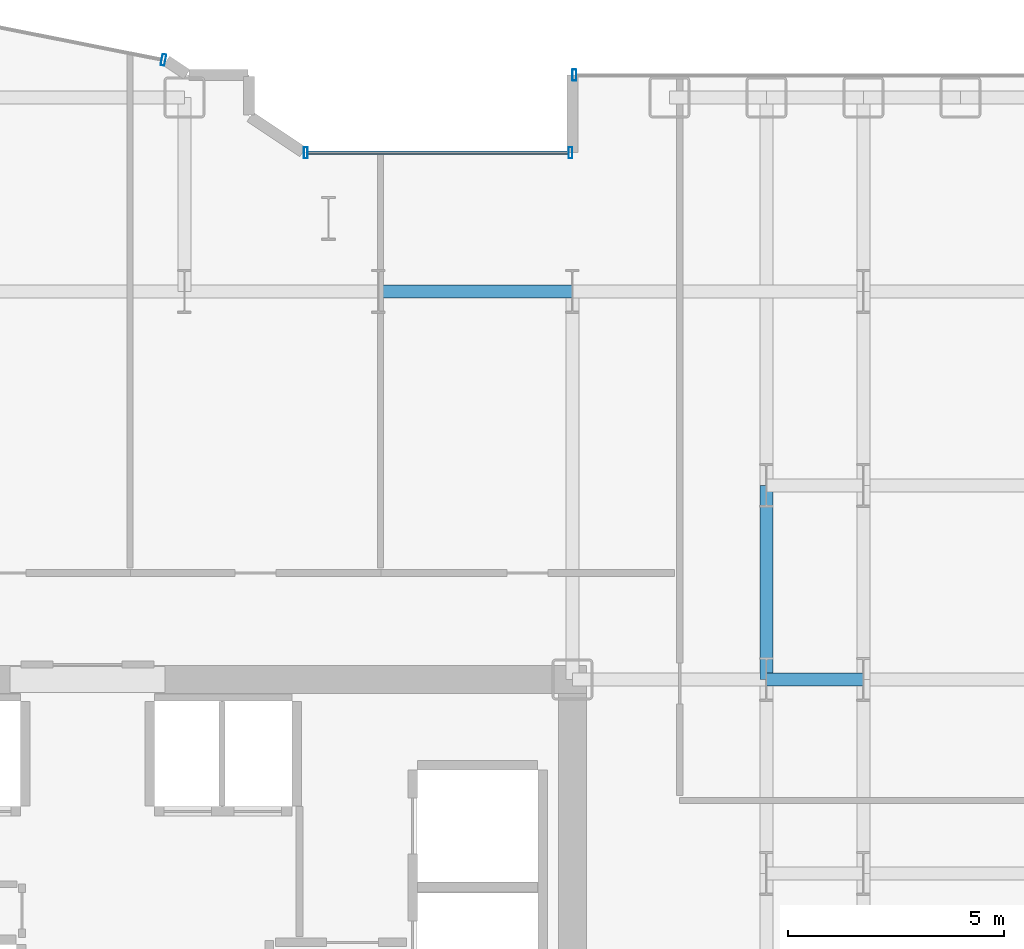
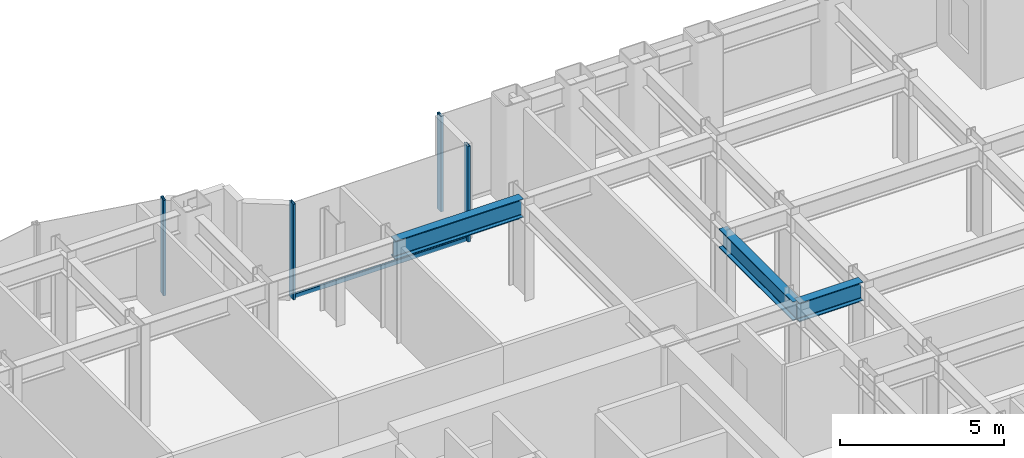
# One storey, part 12 of 25: 5 members, 3 beams, 3 elements without a shape of their own.
"""IFC4 building model written with IfcOpenShell, lengths in metres."""

from ifc_helpers import new_model, si_unit, direction, frame, origin, origin_2d, place, context, subcontext, project, spatial, hollow_rectangle, i_section, extrude, source, transform, mapped, material, layer, layer_set, material_profile, profile_set, type_object, element, aggregate, save


model = new_model("IFC4")

# Units and contexts
model_context = context("Model", 3, precision=1e-05, world=origin(), true_north=direction((0.0, 1.0)))
body_context = subcontext(model_context, "Body", "Model", "MODEL_VIEW")
ifc_project = project(units=[si_unit("LENGTHUNIT", "METRE"), si_unit("AREAUNIT", "SQUARE_METRE"), si_unit("VOLUMEUNIT", "CUBIC_METRE"), si_unit("PLANEANGLEUNIT", "RADIAN"), si_unit("MASSUNIT", "GRAM", prefix="KILO")], contexts=[model_context])

# Site, building, storey
site_placement = place(None, origin())
site = spatial("IfcSite", under=ifc_project, at=site_placement, CompositionType="ELEMENT")
building_placement = place(site_placement, origin())
building = spatial("IfcBuilding", under=site, at=building_placement, Name="Nefas-Gora Pilgrimage Tower", CompositionType="ELEMENT")
storey_placement = place(building_placement, frame((0.0, 0.0, 52.0)))
storey = spatial("IfcBuildingStorey", under=building, at=storey_placement, Name="L11", CompositionType="ELEMENT", Elevation=52.0)

# Beams
ifc_material_1 = material(Name="Steel S355", Category="steel")
ifc_material_profile_1 = material_profile(ifc_material_1, i_section(OverallWidth=0.300048828125, OverallDepth=0.699951171875, WebThickness=0.01708984375, FlangeThickness=0.031982421875, FilletRadius=0.027099609375, at=origin_2d()), Name="HEB 700")
ifc_profile_set_1 = profile_set([ifc_material_profile_1], Name="Steel S355")
beam_type = type_object("IfcBeamType", Name="BM-GIR-HEB700", PredefinedType="BEAM", material=ifc_profile_set_1)
shared_shape_1 = source(origin(), body_context, "Body", "SweptSolid", [
    extrude(i_section(OverallWidth=0.300048828125, OverallDepth=0.699951171875, WebThickness=0.01708984375, FlangeThickness=0.031982421875, FilletRadius=0.027099609375, at=origin_2d()), origin(), (0.0, 0.0, 1.0), 4.5),
])
for number, where, z_axis, x_axis, name in (
    (1, (6.75, 18.0, 3.199951171875), (1.0, 0.0, 0.0), (0.0, 1.0, 0.0), "L11 G-02 beam"),
    (2, (15.75, 9.0, 3.199951171875), (0.0, 1.0, 0.0), (-1.0, 0.0, 0.0), "L11 G-02 beam"),
):
    element("IfcBeam", number, at=place(storey_placement, frame(where, z_axis=z_axis, x_axis=x_axis)), inside=storey, type_object=beam_type, Name=name, PredefinedType="BEAM", context=body_context, shape_type="MappedRepresentation", body=[
        mapped(shared_shape_1, transform((0.0, 0.0, 0.0), x_axis=(1.0, 0.0, 0.0), y_axis=(0.0, 1.0, 0.0), z_axis=(0.0, 0.0, 1.0), scale=1.0)),
    ])
shared_shape_2 = source(origin(), body_context, "Body", "SweptSolid", [
    extrude(i_section(OverallWidth=0.300048828125, OverallDepth=0.699951171875, WebThickness=0.01708984375, FlangeThickness=0.031982421875, FilletRadius=0.027099609375, at=origin_2d()), origin(), (0.0, 0.0, 1.0), 2.25),
])
beam_placement = place(storey_placement, frame((15.75, 9.0, 3.199951171875), z_axis=(1.0, 0.0, 0.0), x_axis=(0.0, 1.0, 0.0)))
element("IfcBeam", 3, at=beam_placement, inside=storey, type_object=beam_type, Name="L11 G-02 beam", PredefinedType="BEAM", context=body_context, shape_type="MappedRepresentation", body=[
    mapped(shared_shape_2, transform((0.0, 0.0, 0.0), x_axis=(1.0, 0.0, 0.0), y_axis=(0.0, 1.0, 0.0), z_axis=(0.0, 0.0, 1.0), scale=1.0)),
])

# Curtain wall, members
ifc_material_2 = material(Name="Dark ceramic-fritted solar-control aluminium-glass curtain wall", Category="aluminium")
ifc_layer_1 = layer(ifc_material_2, 0.219970703125)
ifc_layer_set_1 = layer_set([ifc_layer_1], Name="Dark ceramic-fritted solar-control aluminium-glass curtain wall")
curtain_wall_type_1 = type_object("IfcCurtainWallType", Name="CW-SYS-5", PredefinedType="NOTDEFINED", material=ifc_layer_set_1)
curtain_wall_1_placement = place(storey_placement, origin())
curtain_wall_1 = element("IfcCurtainWall", 4, at=curtain_wall_1_placement, inside=storey, type_object=curtain_wall_type_1, Name="L11 Unitised Curtain Wall CW5", PredefinedType="NOTDEFINED")
ifc_material_3 = material(Name="Anodised architectural aluminium", Category="aluminium")
ifc_material_profile_2 = material_profile(ifc_material_3, hollow_rectangle(XDim=0.090087890625, YDim=0.260009765625, WallThickness=0.006103515625, InnerFilletRadius=0.006103515625, OuterFilletRadius=0.011962890625, at=origin_2d()), Name="ALU MULLION 90x260")
ifc_profile_set_2 = profile_set([ifc_material_profile_2], Name="Anodised architectural aluminium")
member_type_1 = type_object("IfcMemberType", Name="CWM-MUL-5", PredefinedType="MULLION", material=ifc_profile_set_2)
shared_shape_3 = source(origin(), body_context, "Body", "SweptSolid", [
    extrude(hollow_rectangle(XDim=0.090087890625, YDim=0.260009765625, WallThickness=0.006103515625, InnerFilletRadius=0.006103515625, OuterFilletRadius=0.011962890625, at=origin_2d()), origin(), (0.0, 0.0, 1.0), 3.550048828125),
])
member_1_placement = place(storey_placement, frame((11.205078125, 21.219970703125, 0.0), z_axis=(0.0, 0.0, 1.0), x_axis=(-1.0, 0.0, 0.0)))
member_1 = element("IfcMember", 5, at=member_1_placement, type_object=member_type_1, Name="CW5 Mullion 1", PredefinedType="MULLION", context=body_context, shape_type="MappedRepresentation", body=[
    mapped(shared_shape_3, transform((0.0, 0.0, 0.0), x_axis=(1.0, 0.0, 0.0), y_axis=(0.0, 1.0, 0.0), z_axis=(0.0, 0.0, 1.0), scale=1.0)),
])
member_2_placement = place(storey_placement, frame((5.06298828125, 21.219970703125, 0.0), z_axis=(0.0, 0.0, 1.0), x_axis=(-1.0, 0.0, 0.0)))
member_2 = element("IfcMember", 6, at=member_2_placement, type_object=member_type_1, Name="CW5 Mullion 2", PredefinedType="MULLION", context=body_context, shape_type="MappedRepresentation", body=[
    mapped(shared_shape_3, transform((0.0, 0.0, 0.0), x_axis=(1.0, 0.0, 0.0), y_axis=(0.0, 1.0, 0.0), z_axis=(0.0, 0.0, 1.0), scale=1.0)),
])

# Curtain wall, member
curtain_wall_2_placement = place(storey_placement, origin())
curtain_wall_2 = element("IfcCurtainWall", 7, at=curtain_wall_2_placement, inside=storey, type_object=curtain_wall_type_1, Name="L11 Unitised Curtain Wall CW5", PredefinedType="NOTDEFINED")
member_3_placement = place(storey_placement, frame((1.76318359375, 23.3740234375, 0.0), z_axis=(0.0, 0.0, 1.0), x_axis=(-0.980782896852, 0.195102304554, 0.0)))
member_3 = element("IfcMember", 8, at=member_3_placement, type_object=member_type_1, Name="CW5 Mullion 1", PredefinedType="MULLION", context=body_context, shape_type="MappedRepresentation", body=[
    mapped(shared_shape_3, transform((0.0, 0.0, 0.0), x_axis=(1.0, 0.0, 0.0), y_axis=(0.0, 1.0, 0.0), z_axis=(0.0, 0.0, 1.0), scale=1.0)),
])
aggregate(curtain_wall_2, [member_3])

# Member
ifc_material_profile_3 = material_profile(ifc_material_3, hollow_rectangle(XDim=0.080078125, YDim=0.159912109375, WallThickness=0.00439453125, InnerFilletRadius=0.00439453125, OuterFilletRadius=0.009033203125, at=origin_2d()), Name="ALU TRANSOM 80x160")
ifc_profile_set_3 = profile_set([ifc_material_profile_3], Name="Anodised architectural aluminium")
member_type_2 = type_object("IfcMemberType", Name="CWM-TRN-5", PredefinedType="USERDEFINED", material=ifc_profile_set_3)
shared_shape_4 = source(origin(), body_context, "Body", "SweptSolid", [
    extrude(hollow_rectangle(XDim=0.080078125, YDim=0.159912109375, WallThickness=0.00439453125, InnerFilletRadius=0.00439453125, OuterFilletRadius=0.009033203125, at=origin_2d()), origin(), (0.0, 0.0, 1.0), 6.052001953125),
])
member_4_placement = place(storey_placement, frame((11.159912109375, 21.219970703125, 0.050048828125), z_axis=(-1.0, 0.0, 0.0), x_axis=(0.0, -1.0, 0.0)))
member_4 = element("IfcMember", 9, at=member_4_placement, type_object=member_type_2, Name="CW5 Spandrel Transom", ObjectType="TRANSOM", PredefinedType="USERDEFINED", context=body_context, shape_type="MappedRepresentation", body=[
    mapped(shared_shape_4, transform((0.0, 0.0, 0.0), x_axis=(1.0, 0.0, 0.0), y_axis=(0.0, 1.0, 0.0), z_axis=(0.0, 0.0, 1.0), scale=1.0)),
])

aggregate(curtain_wall_1, [member_1, member_2, member_4])

# Curtain wall, member
ifc_layer_2 = layer(ifc_material_2, 0.219970703125)
ifc_layer_set_2 = layer_set([ifc_layer_2], Name="Dark ceramic-fritted solar-control aluminium-glass curtain wall")
curtain_wall_type_2 = type_object("IfcCurtainWallType", Name="CW-SYS-2", PredefinedType="NOTDEFINED", material=ifc_layer_set_2)
curtain_wall_3_placement = place(storey_placement, origin())
curtain_wall_3 = element("IfcCurtainWall", 10, at=curtain_wall_3_placement, inside=storey, type_object=curtain_wall_type_2, Name="L11 Unitised Curtain Wall CW2", PredefinedType="NOTDEFINED")
ifc_material_profile_4 = material_profile(ifc_material_3, hollow_rectangle(XDim=0.090087890625, YDim=0.260009765625, WallThickness=0.006103515625, InnerFilletRadius=0.006103515625, OuterFilletRadius=0.011962890625, at=origin_2d()), Name="ALU MULLION 90x260")
ifc_profile_set_4 = profile_set([ifc_material_profile_4], Name="Anodised architectural aluminium")
member_type_3 = type_object("IfcMemberType", Name="CWM-MUL-2", PredefinedType="MULLION", material=ifc_profile_set_4)
shared_shape_5 = source(origin(), body_context, "Body", "SweptSolid", [
    extrude(hollow_rectangle(XDim=0.090087890625, YDim=0.260009765625, WallThickness=0.006103515625, InnerFilletRadius=0.006103515625, OuterFilletRadius=0.011962890625, at=origin_2d()), origin(), (0.0, 0.0, 1.0), 3.550048828125),
])
member_5_placement = place(storey_placement, frame((11.294921875, 23.02001953125, 0.0), z_axis=(0.0, 0.0, 1.0), x_axis=(-1.0, 0.0, 0.0)))
member_5 = element("IfcMember", 11, at=member_5_placement, type_object=member_type_3, Name="CW2 Mullion 2", PredefinedType="MULLION", context=body_context, shape_type="MappedRepresentation", body=[
    mapped(shared_shape_5, transform((0.0, 0.0, 0.0), x_axis=(1.0, 0.0, 0.0), y_axis=(0.0, 1.0, 0.0), z_axis=(0.0, 0.0, 1.0), scale=1.0)),
])
aggregate(curtain_wall_3, [member_5])

save(model, "model.ifc")
